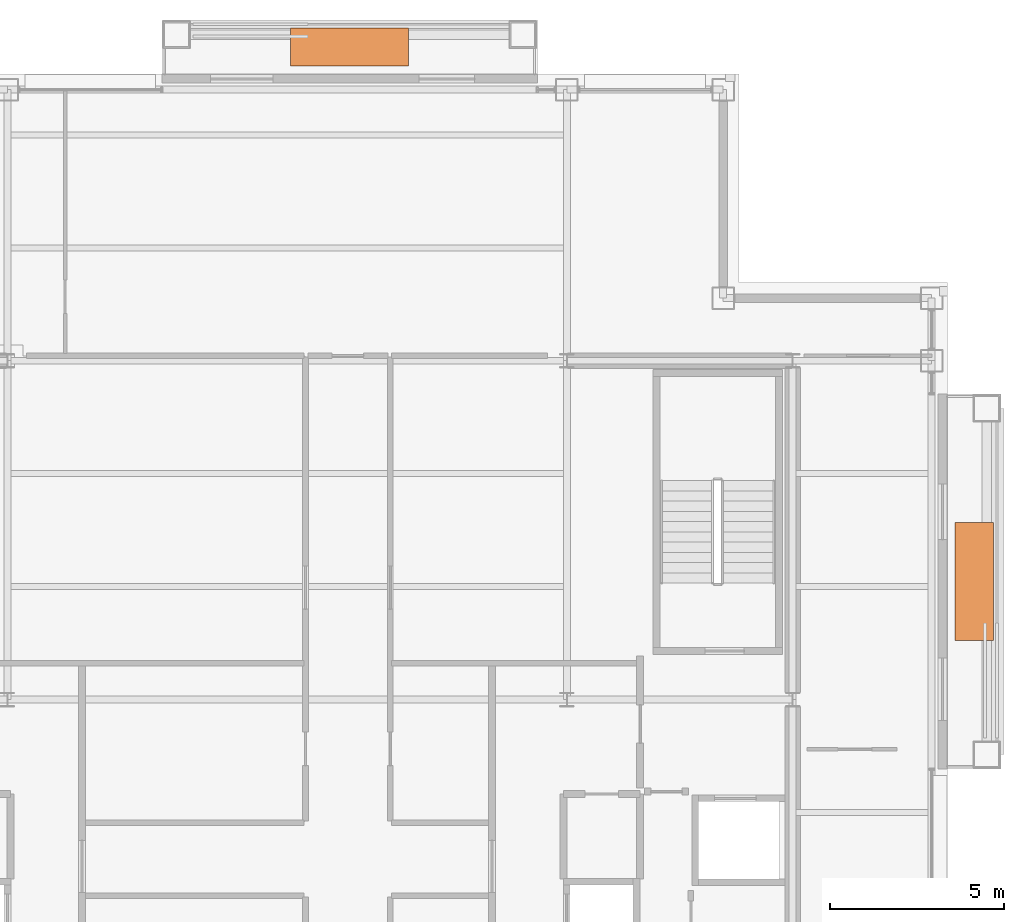
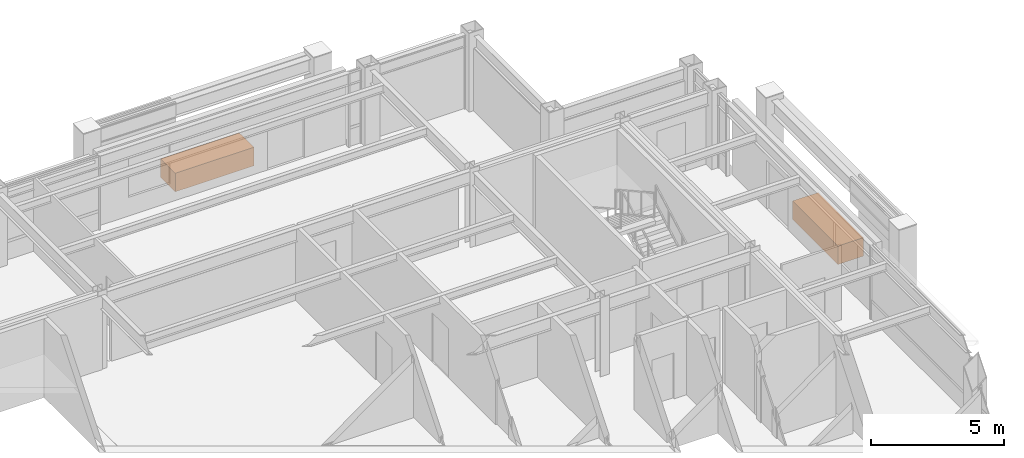
# One storey, part 24 of 24: 2 proxies.
"""IFC4 building model written with IfcOpenShell, lengths in metres."""

from ifc_helpers import new_model, si_unit, direction, frame, origin, origin_2d, place, context, subcontext, project, spatial, rectangle, extrude, material, type_object, element, save


model = new_model("IFC4")

# Units and contexts
model_context = context("Model", 3, precision=1e-05, world=origin(), true_north=direction((0.0, 1.0)))
body_context = subcontext(model_context, "Body", "Model", "MODEL_VIEW")
ifc_project = project(units=[si_unit("LENGTHUNIT", "METRE"), si_unit("AREAUNIT", "SQUARE_METRE"), si_unit("VOLUMEUNIT", "CUBIC_METRE"), si_unit("PLANEANGLEUNIT", "RADIAN"), si_unit("MASSUNIT", "GRAM", prefix="KILO")], contexts=[model_context])

# Site, building, storey
site_placement = place(None, origin())
site = spatial("IfcSite", under=ifc_project, at=site_placement, CompositionType="ELEMENT")
building_placement = place(site_placement, origin())
building = spatial("IfcBuilding", under=site, at=building_placement, Name="Brelmoor Portico Tower", CompositionType="ELEMENT")
storey_placement = place(building_placement, frame((0.0, 0.0, 240.0)))
storey = spatial("IfcBuildingStorey", under=building, at=storey_placement, Name="L63", CompositionType="ELEMENT", Elevation=240.0)

# Proxies
ifc_material = material(Name="Architectural Precast Concrete C40", Category="concrete")
building_element_proxy_type = type_object("IfcBuildingElementProxyType", Name="TREE PLANTER", PredefinedType="USERDEFINED", material=ifc_material)
for number, where, z_axis, x_axis, name in (
    (1, (1.800048828125, 18.77490234375, 0.0), (0.0, 0.0, 1.0), (1.0, 0.0, 0.0), "L63 Planted Tree Planter N"),
    (2, (19.77490234375, 3.39990234375, 0.0), (0.0, 0.0, 1.0), (0.0, 1.0, 0.0), "L63 Planted Tree Planter E"),
):
    element("IfcBuildingElementProxy", number, at=place(storey_placement, frame(where, z_axis=z_axis, x_axis=x_axis)), inside=storey, type_object=building_element_proxy_type, Name=name, ObjectType="PLANTER", PredefinedType="USERDEFINED", context=body_context, shape_type="SweptSolid", body=[
        extrude(rectangle(XDim=3.39990234375, YDim=1.10009765625, at=origin_2d()), origin(), (0.0, 0.0, 1.0), 0.85009765625),
    ])

save(model, "model.ifc")
